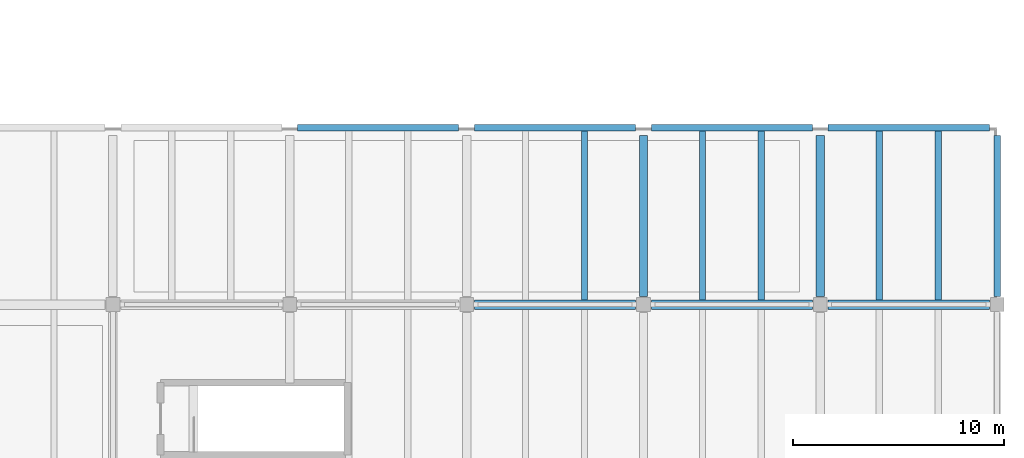
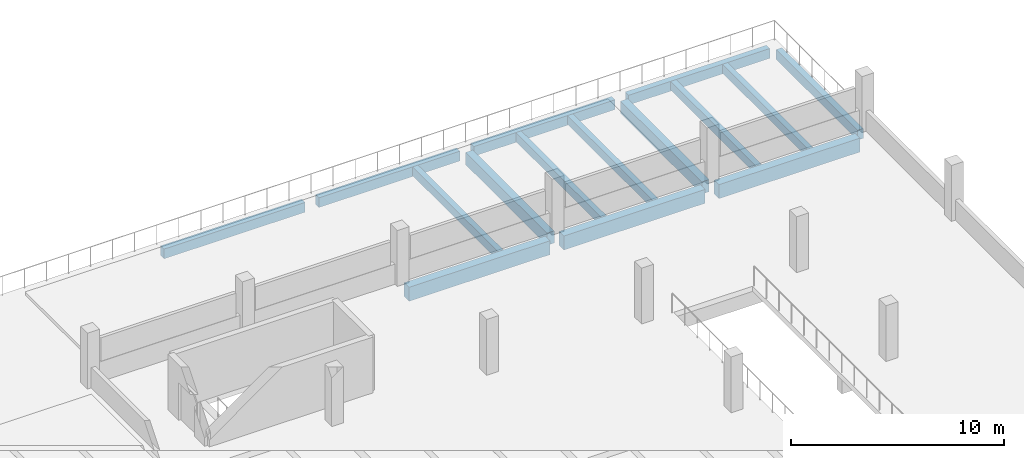
# One storey, part 21 of 33: 15 beams.
"""IFC4 building model written with IfcOpenShell, lengths in metres."""

from ifc_helpers import new_model, si_unit, direction, frame, origin, origin_2d, place, context, subcontext, project, spatial, rectangle, extrude, material, material_profile, profile_set, type_object, element, save


model = new_model("IFC4")

# Units and contexts
model_context = context("Model", 3, precision=1e-05, world=origin(), true_north=direction((0.0, 1.0)))
body_context = subcontext(model_context, "Body", "Model", "MODEL_VIEW")
ifc_project = project(units=[si_unit("LENGTHUNIT", "METRE"), si_unit("AREAUNIT", "SQUARE_METRE"), si_unit("VOLUMEUNIT", "CUBIC_METRE"), si_unit("PLANEANGLEUNIT", "RADIAN"), si_unit("MASSUNIT", "GRAM", prefix="KILO"), si_unit("THERMODYNAMICTEMPERATUREUNIT", "KELVIN"), si_unit("POWERUNIT", "WATT")], contexts=[model_context])

# Site, building, storey
site_placement = place(None, origin())
site = spatial("IfcSite", under=ifc_project, at=site_placement, CompositionType="ELEMENT")
building_placement = place(site_placement, origin())
building = spatial("IfcBuilding", under=site, at=building_placement, Name="Mavoryth Pier Ferry Terminal", CompositionType="ELEMENT")
storey_placement = place(building_placement, frame((0.0, 0.0, 13.1201171875)))
storey = spatial("IfcBuildingStorey", under=building, at=storey_placement, Name="L03", CompositionType="ELEMENT", Elevation=13.1201171875)

# Beams
ifc_material = material(Name="Concrete C35/45", Category="concrete")
ifc_material_profile_1 = material_profile(ifc_material, rectangle(XDim=0.39990234375, YDim=0.699951171875, at=origin_2d()), Name="RC 400x700", Category="concrete")
ifc_profile_set_1 = profile_set([ifc_material_profile_1], Name="Concrete C35/45 - RC 400x700")
beam_type_1 = type_object("IfcBeamType", Name="Girder-RC-400x700", PredefinedType="BEAM", material=ifc_profile_set_1)
for number, where, z_axis, x_axis, name in (
    (1, (151.199951171875, 64.375, -0.710205078125), (0.0, 1.0, 0.0), (-1.0, 0.0, 0.0), "Beam B03-BG04-1148"),
    (2, (159.60009765625, 64.375, -0.710205078125), (0.0, 1.0, 0.0), (-1.0, 0.0, 0.0), "Beam B03-BG04-1155"),
):
    element("IfcBeam", number, at=place(storey_placement, frame(where, z_axis=z_axis, x_axis=x_axis)), inside=storey, type_object=beam_type_1, Name=name, PredefinedType="BEAM", context=body_context, shape_type="SweptSolid", body=[
        extrude(rectangle(XDim=0.39990234375, YDim=0.699951171875, at=origin_2d()), origin(), (0.0, 0.0, 1.0), 7.64990234375),
    ])
ifc_material_profile_2 = material_profile(ifc_material, rectangle(XDim=0.449951171875, YDim=0.800048828125, at=origin_2d()), Name="RC 450x800", Category="concrete")
ifc_profile_set_2 = profile_set([ifc_material_profile_2], Name="Concrete C35/45 - RC 450x800")
beam_type_2 = type_object("IfcBeamType", Name="Girder-RC-450x800", PredefinedType="BEAM", material=ifc_profile_set_2)
beam_1_placement = place(storey_placement, frame((143.175048828125, 64.0, -0.760009765625), z_axis=(1.0, 0.0, 0.0), x_axis=(0.0, 1.0, 0.0)))
element("IfcBeam", 3, at=beam_1_placement, inside=storey, type_object=beam_type_2, Name="Beam B03-BG01-1105", PredefinedType="BEAM", context=body_context, shape_type="SweptSolid", body=[
    extrude(rectangle(XDim=0.449951171875, YDim=0.800048828125, at=origin_2d()), origin(), (0.0, 0.0, 1.0), 7.64990234375),
])
beam_2_placement = place(storey_placement, frame((151.574951171875, 64.0, -0.760009765625), z_axis=(1.0, 0.0, 0.0), x_axis=(0.0, 1.0, 0.0)))
element("IfcBeam", 4, at=beam_2_placement, inside=storey, type_object=beam_type_2, Name="Beam B03-BG01-1106", PredefinedType="BEAM", context=body_context, shape_type="SweptSolid", body=[
    extrude(rectangle(XDim=0.449951171875, YDim=0.800048828125, at=origin_2d()), origin(), (0.0, 0.0, 1.0), 7.650146484375),
])
beam_3_placement = place(storey_placement, frame((159.97509765625, 64.0, -0.760009765625), z_axis=(1.0, 0.0, 0.0), x_axis=(0.0, 1.0, 0.0)))
element("IfcBeam", 5, at=beam_3_placement, inside=storey, type_object=beam_type_2, Name="Beam B03-BG01-1107", PredefinedType="BEAM", context=body_context, shape_type="SweptSolid", body=[
    extrude(rectangle(XDim=0.449951171875, YDim=0.800048828125, at=origin_2d()), origin(), (0.0, 0.0, 1.0), 7.64990234375),
])
ifc_material_profile_3 = material_profile(ifc_material, rectangle(XDim=0.300048828125, YDim=0.5, at=origin_2d()), Name="RC 300x500", Category="concrete")
ifc_profile_set_3 = profile_set([ifc_material_profile_3], Name="Concrete C35/45 - RC 300x500")
beam_type_3 = type_object("IfcBeamType", Name="Joist-RC-300x500", PredefinedType="JOIST", material=ifc_profile_set_3)
for number, where, z_axis, x_axis, name in (
    (6, (148.39990234375, 64.22509765625, -0.610107421875), (0.0, 1.0, 0.0), (-1.0, 0.0, 0.0), "Beam B03-BJ01-1212"),
    (7, (154.0, 64.22509765625, -0.610107421875), (0.0, 1.0, 0.0), (-1.0, 0.0, 0.0), "Beam B03-BJ01-1217"),
    (8, (156.800048828125, 64.22509765625, -0.610107421875), (0.0, 1.0, 0.0), (-1.0, 0.0, 0.0), "Beam B03-BJ01-1218"),
    (9, (162.39990234375, 64.22509765625, -0.610107421875), (0.0, 1.0, 0.0), (-1.0, 0.0, 0.0), "Beam B03-BJ01-1231"),
    (10, (165.199951171875, 64.22509765625, -0.610107421875), (0.0, 1.0, 0.0), (-1.0, 0.0, 0.0), "Beam B03-BJ01-1232"),
):
    element("IfcBeam", number, at=place(storey_placement, frame(where, z_axis=z_axis, x_axis=x_axis)), inside=storey, type_object=beam_type_3, Name=name, PredefinedType="JOIST", context=body_context, shape_type="SweptSolid", body=[
        extrude(rectangle(XDim=0.300048828125, YDim=0.5, at=origin_2d()), origin(), (0.0, 0.0, 1.0), 8.014892578125),
    ])
ifc_material_profile_4 = material_profile(ifc_material, rectangle(XDim=0.320068359375, YDim=0.56005859375, at=origin_2d()), Name="RC 320x560", Category="concrete")
ifc_profile_set_4 = profile_set([ifc_material_profile_4], Name="Concrete C35/45 - RC 320x560")
beam_type_4 = type_object("IfcBeamType", Name="Spandrel-RC-320x560", PredefinedType="SPANDREL", material=ifc_profile_set_4)
beam_4_placement = place(storey_placement, frame((134.77490234375, 72.39990234375, -0.64013671875), z_axis=(1.0, 0.0, 0.0), x_axis=(0.0, 1.0, 0.0)))
element("IfcBeam", 11, at=beam_4_placement, inside=storey, type_object=beam_type_4, Name="Beam B03-SP01-1110", PredefinedType="SPANDREL", context=body_context, shape_type="SweptSolid", body=[
    extrude(rectangle(XDim=0.320068359375, YDim=0.56005859375, at=origin_2d()), origin(), (0.0, 0.0, 1.0), 7.650146484375),
])
beam_5_placement = place(storey_placement, frame((143.175048828125, 72.39990234375, -0.64013671875), z_axis=(1.0, 0.0, 0.0), x_axis=(0.0, 1.0, 0.0)))
element("IfcBeam", 12, at=beam_5_placement, inside=storey, type_object=beam_type_4, Name="Beam B03-SP01-1111", PredefinedType="SPANDREL", context=body_context, shape_type="SweptSolid", body=[
    extrude(rectangle(XDim=0.320068359375, YDim=0.56005859375, at=origin_2d()), origin(), (0.0, 0.0, 1.0), 7.64990234375),
])
beam_6_placement = place(storey_placement, frame((151.574951171875, 72.39990234375, -0.64013671875), z_axis=(1.0, 0.0, 0.0), x_axis=(0.0, 1.0, 0.0)))
element("IfcBeam", 13, at=beam_6_placement, inside=storey, type_object=beam_type_4, Name="Beam B03-SP01-1112", PredefinedType="SPANDREL", context=body_context, shape_type="SweptSolid", body=[
    extrude(rectangle(XDim=0.320068359375, YDim=0.56005859375, at=origin_2d()), origin(), (0.0, 0.0, 1.0), 7.650146484375),
])
for number, where, z_axis, x_axis, name in (
    (14, (159.97509765625, 72.39990234375, -0.64013671875), (1.0, 0.0, 0.0), (0.0, 1.0, 0.0), "Beam B03-SP01-1113"),
    (15, (168.0, 64.375, -0.64013671875), (0.0, 1.0, 0.0), (-1.0, 0.0, 0.0), "Beam B03-SP01-1162"),
):
    element("IfcBeam", number, at=place(storey_placement, frame(where, z_axis=z_axis, x_axis=x_axis)), inside=storey, type_object=beam_type_4, Name=name, PredefinedType="SPANDREL", context=body_context, shape_type="SweptSolid", body=[
        extrude(rectangle(XDim=0.320068359375, YDim=0.56005859375, at=origin_2d()), origin(), (0.0, 0.0, 1.0), 7.64990234375),
    ])

save(model, "model.ifc")
